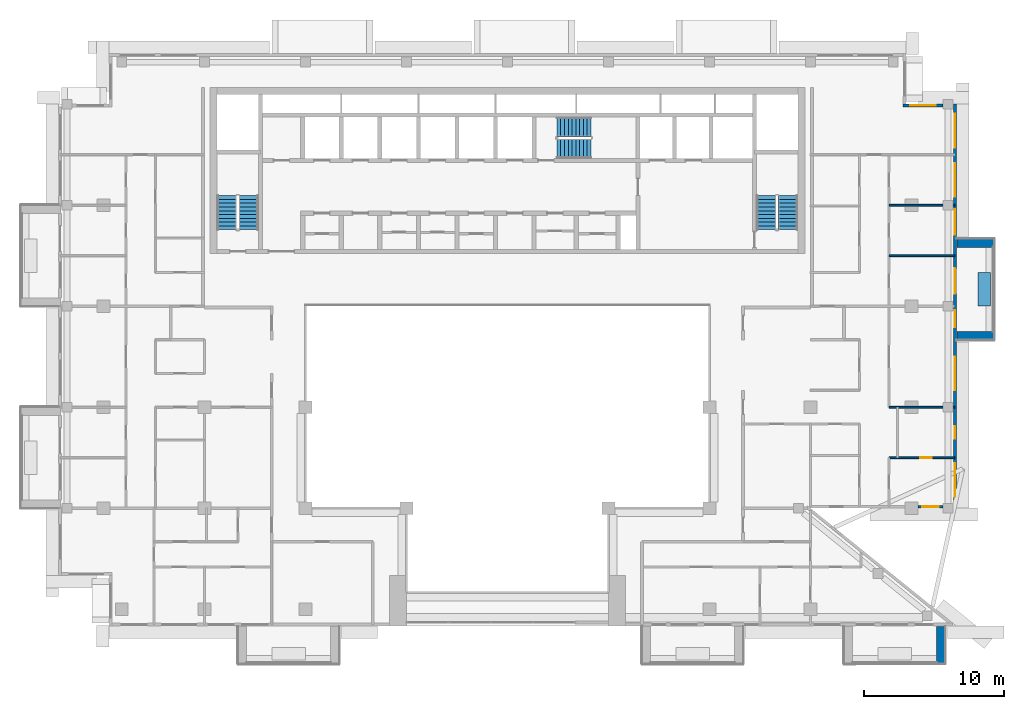
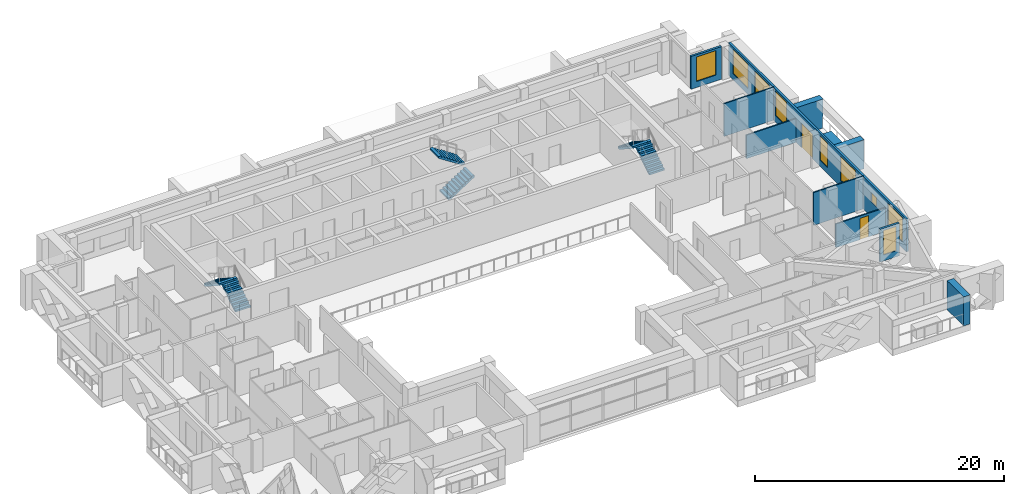
# One storey, part 12 of 19: 11 walls, 9 windows, 6 stair flights, 2 doors, 11 openings, 3 elements without a shape of their own.
"""IFC4 building model written with IfcOpenShell, lengths in metres."""

import ifcopenshell
import ifcopenshell.guid

model = None  # the IFC model being written
_history = None  # IfcOwnerHistory: only IFC2X3 demands one
_inside = {}  # id of a spatial element -> (the spatial element, [elements in it])
_under = {}  # id of a project, library or spatial element -> (it, [spatial elements below it])
_declared = {}  # id of a project -> (the project, [libraries it declares])
_typed = {}  # id of a type object -> (the type object, [elements of that type])
_made_of = {}  # id of a material, layer set ... -> (it, [elements and type objects made of it])


def new_model(schema):
    """Start an empty IFC model of exactly this schema.

    Asked for "IFC4X3", IfcOpenShell would pick the latest addendum, in which some entities
    have other attributes; the version numbers below select the first issue.
    IFC2X3 requires an IfcOwnerHistory on every rooted entity: one is made here for all.
    """
    global model, _history
    if schema == "IFC4X3":
        model = ifcopenshell.file(schema_version=(4, 3, 0, 0))
    else:
        model = ifcopenshell.file(schema=schema)
    _inside.clear()
    _under.clear()
    _declared.clear()
    _typed.clear()
    _made_of.clear()
    _history = None
    if model.schema == "IFC2X3":
        org = make("IfcOrganization", Name="unknown")
        user = make(
            "IfcPersonAndOrganization",
            ThePerson=make("IfcPerson", FamilyName="unknown"),
            TheOrganization=org,
        )
        app = make(
            "IfcApplication",
            ApplicationDeveloper=org,
            Version="unknown",
            ApplicationFullName="unknown",
            ApplicationIdentifier="unknown",
        )
        _history = make(
            "IfcOwnerHistory",
            OwningUser=user,
            OwningApplication=app,
            ChangeAction="ADDED",
            CreationDate=0,
        )
    return model


def make(cls, **values):
    """One entity of the class cls with the attributes given. An attribute that is None is left unset."""
    return model.create_entity(
        cls, **{name: value for name, value in values.items() if value is not None}
    )


def rooted(cls, **values):
    """An entity with a GlobalId (a new one), such as an element, a storey or a relation."""
    return make(cls, GlobalId=ifcopenshell.guid.new(), OwnerHistory=_history, **values)


def si_unit(unit_type, name, prefix=None):
    """IfcSIUnit, for example si_unit("LENGTHUNIT", "METRE", prefix="MILLI")."""
    return make("IfcSIUnit", UnitType=unit_type, Prefix=prefix, Name=name)


def assignment(units):
    """IfcUnitAssignment: the units of a project."""
    return None if units is None else make("IfcUnitAssignment", Units=units)


def point(xyz):
    """IfcCartesianPoint."""
    return None if xyz is None else make("IfcCartesianPoint", Coordinates=xyz)


def direction(xyz):
    """IfcDirection."""
    return None if xyz is None else make("IfcDirection", DirectionRatios=xyz)


def frame(location, z_axis=None, x_axis=None):
    """IfcAxis2Placement3D, a coordinate frame: its origin and axes. An axis left out is left unset."""
    return make(
        "IfcAxis2Placement3D",
        Location=point(location),
        Axis=direction(z_axis),
        RefDirection=direction(x_axis),
    )


def frame_2d(location, x_axis=None):
    """IfcAxis2Placement2D, a coordinate frame in the plane: its origin and x axis."""
    return make(
        "IfcAxis2Placement2D", Location=point(location), RefDirection=direction(x_axis)
    )


def origin():
    """The frame at (0, 0, 0) with its axes left unset."""
    return frame((0.0, 0.0, 0.0))


def place(relative_to, where):
    """IfcLocalPlacement: puts the frame where relative to a parent placement (None: the world)."""
    return make(
        "IfcLocalPlacement", PlacementRelTo=relative_to, RelativePlacement=where
    )


def context(
    kind, dimensions, precision=None, world=None, true_north=None, identifier=None
):
    """IfcGeometricRepresentationContext, for example the 3D "Model" context."""
    return make(
        "IfcGeometricRepresentationContext",
        ContextIdentifier=identifier,
        ContextType=kind,
        CoordinateSpaceDimension=dimensions,
        Precision=precision,
        WorldCoordinateSystem=world,
        TrueNorth=true_north,
    )


def subcontext(parent, identifier, kind, view, scale=None):
    """IfcGeometricRepresentationSubContext, for example "Body" below "Model"."""
    return make(
        "IfcGeometricRepresentationSubContext",
        ContextIdentifier=identifier,
        ContextType=kind,
        ParentContext=parent,
        TargetScale=scale,
        TargetView=view,
    )


def project(units=None, contexts=None):
    """IfcProject with its units and contexts."""
    return rooted(
        "IfcProject",
        Name="project",
        RepresentationContexts=contexts,
        UnitsInContext=assignment(units),
    )


def spatial(cls, under=None, at=None, **own):
    """A site, building, storey or space (cls), placed at a placement, below another one or the project."""
    s = rooted(cls, ObjectPlacement=at, **own)
    if under is not None:
        _under.setdefault(under.id(), (under, []))[1].append(s)
    return s


def polyline(points):
    """IfcPolyline through the points."""
    return make("IfcPolyline", Points=[point(p) for p in points])


def profile(cls, at=None, kind="AREA", **sizes):
    """A parametric profile (cls). Its sizes go by their IFC names, for example OverallWidth=200.0."""
    return make(cls, ProfileType=kind, Position=at, **sizes)


def rectangle(**sizes):
    """IfcRectangleProfileDef."""
    return profile("IfcRectangleProfileDef", **sizes)


def outline(outer, holes=None, kind="AREA"):
    """IfcArbitraryClosedProfileDef: a profile drawn as a closed curve; with holes, ...WithVoids."""
    if holes is None:
        return make("IfcArbitraryClosedProfileDef", ProfileType=kind, OuterCurve=outer)
    return make(
        "IfcArbitraryProfileDefWithVoids",
        ProfileType=kind,
        OuterCurve=outer,
        InnerCurves=holes,
    )


def extrude(swept, where, along, depth):
    """IfcExtrudedAreaSolid: the profile swept, set in the frame where, extruded along a direction by depth."""
    return make(
        "IfcExtrudedAreaSolid",
        SweptArea=swept,
        Position=where,
        ExtrudedDirection=direction(along),
        Depth=depth,
    )


def shape(context_of_items, identifier, shape_type, items):
    """IfcShapeRepresentation: the items that make up one representation, for example the "Body"."""
    return make(
        "IfcShapeRepresentation",
        ContextOfItems=context_of_items,
        RepresentationIdentifier=identifier,
        RepresentationType=shape_type,
        Items=items,
    )


def material(Name=None, Category=None):
    """IfcMaterial."""
    return make("IfcMaterial", Name=Name, Category=Category)


def layer(
    of_material, thickness, ventilated=None, Name=None, Category=None, Priority=None
):
    """IfcMaterialLayer: one layer of a wall or slab, of a material (None: an air gap)."""
    return make(
        "IfcMaterialLayer",
        Material=of_material,
        LayerThickness=thickness,
        IsVentilated=ventilated,
        Name=Name,
        Category=Category,
        Priority=Priority,
    )


def layer_set(layers, Name=None):
    """IfcMaterialLayerSet."""
    return make("IfcMaterialLayerSet", MaterialLayers=layers, LayerSetName=Name)


def made_of(thing, what):
    """Note that an element or type object is made of a material, layer set ...; save() writes the relation."""
    if what is not None:
        _made_of.setdefault(what.id(), (what, []))[1].append(thing)
    return thing


def type_object(cls, material=None, **own):
    """A type object (cls), such as IfcWallType, which elements share."""
    return made_of(rooted(cls, **own), material)


def element(
    cls,
    number,
    at=None,
    inside=None,
    cuts=None,
    type_object=None,
    material=None,
    context=None,
    identifier="Body",
    shape_type=None,
    held_by="IfcProductDefinitionShape",
    body=None,
    shapes=None,
    **own,
):
    """One element of the class cls, such as IfcWall. Its Tag is "e" and its number.

    at: its placement. inside: the storey or other place that contains it. cuts: it is an
    opening in that element (IfcRelVoidsElement). A single representation is given by context,
    identifier, shape_type and body (its items); several are given by shapes. held_by: the class
    of the entity that holds the representations. save() writes the other relations.
    """
    e = rooted(cls, Tag="e%d" % number, ObjectPlacement=at, **own)
    if body is not None:
        shapes = [shape(context, identifier, shape_type, body)]
    if shapes is not None:
        e.Representation = make(held_by, Representations=shapes)
    if inside is not None:
        _inside.setdefault(inside.id(), (inside, []))[1].append(e)
    if cuts is not None:
        rooted(
            "IfcRelVoidsElement", RelatingBuildingElement=cuts, RelatedOpeningElement=e
        )
    if type_object is not None:
        _typed.setdefault(type_object.id(), (type_object, []))[1].append(e)
    return made_of(e, material)


def fill(opening, filler):
    """IfcRelFillsElement: the door or window that sits in an opening."""
    return rooted(
        "IfcRelFillsElement",
        RelatingOpeningElement=opening,
        RelatedBuildingElement=filler,
    )


def aggregate(whole, parts):
    """IfcRelAggregates: a whole, such as a stair, and the parts it consists of."""
    return rooted("IfcRelAggregates", RelatingObject=whole, RelatedObjects=parts)


def save(model, path):
    """Write the relations noted so far, then the file.

    IfcRelAggregates (storeys below a building ...), IfcRelContainedInSpatialStructure (elements
    in a storey), IfcRelDefinesByType, IfcRelAssociatesMaterial and IfcRelDeclares: one each for
    every whole, place, type object, material and project.
    """
    for whole, parts in _under.values():
        aggregate(whole, parts)
    for where, things in _inside.values():
        rooted(
            "IfcRelContainedInSpatialStructure",
            RelatedElements=things,
            RelatingStructure=where,
        )
    for kind, things in _typed.values():
        rooted("IfcRelDefinesByType", RelatedObjects=things, RelatingType=kind)
    for what, things in _made_of.values():
        rooted("IfcRelAssociatesMaterial", RelatedObjects=things, RelatingMaterial=what)
    for by, libraries in _declared.values():
        rooted("IfcRelDeclares", RelatingContext=by, RelatedDefinitions=libraries)
    model.write(path)


model = new_model("IFC4")

# Units and contexts
model_context = context("Model", 3, precision=1e-05, world=origin(), true_north=direction((0.0, 1.0)))
body_context = subcontext(model_context, "Body", "Model", "MODEL_VIEW")
ifc_project = project(units=[si_unit("LENGTHUNIT", "METRE"), si_unit("AREAUNIT", "SQUARE_METRE"), si_unit("VOLUMEUNIT", "CUBIC_METRE"), si_unit("PLANEANGLEUNIT", "RADIAN"), si_unit("MASSUNIT", "GRAM", prefix="KILO")], contexts=[model_context])

# Site, building, storey
site_placement = place(None, origin())
site = spatial("IfcSite", under=ifc_project, at=site_placement, CompositionType="ELEMENT")
building_placement = place(site_placement, origin())
building = spatial("IfcBuilding", under=site, at=building_placement, Name="Saffron Iwan Residences", CompositionType="ELEMENT")
storey_placement = place(building_placement, frame((0.0, 0.0, 225.5)))
storey = spatial("IfcBuildingStorey", under=building, at=storey_placement, Name="L60", CompositionType="ELEMENT", Elevation=225.5)

# Walls
ifc_material_1 = material(Name="Concrete C50/60 white painted", Category="concrete")
ifc_layer_1 = layer(ifc_material_1, 0.60009765625)
ifc_layer_set_1 = layer_set([ifc_layer_1], Name="Concrete C50/60 white painted")
wall_type_1 = type_object("IfcWallType", Name="BALCONY FIN 600", PredefinedType="SOLIDWALL", material=ifc_layer_set_1)
for number, where, z_axis, x_axis, name in (
    (1, (82.449951171875, 60.300048828125, 0.0), (0.0, 0.0, 1.0), (1.0, 0.0, 0.0), "Balcony fin L60 F2-0a"),
    (2, (82.449951171875, 66.89990234375, 0.0), (0.0, 0.0, 1.0), (1.0, 0.0, 0.0), "Balcony fin L60 F2-0b"),
    (3, (81.300048828125, 39.550048828125, 0.0), (0.0, 0.0, 1.0), (0.0, -1.0, 0.0), "Balcony fin L60 11-2b"),
):
    element("IfcWall", number, at=place(storey_placement, frame(where, z_axis=z_axis, x_axis=x_axis)), inside=storey, type_object=wall_type_1, Name=name, PredefinedType="SOLIDWALL", context=body_context, shape_type="SweptSolid", body=[
        extrude(rectangle(XDim=2.650146484375, YDim=0.60009765625, at=frame_2d((1.3251953125, 0.0))), origin(), (0.0, 0.0, 1.0), 2.85009765625),
    ])
ifc_material_2 = material(Name="Concrete C35/45 white painted", Category="concrete")
ifc_layer_2 = layer(ifc_material_2, 0.14990234375)
ifc_layer_set_2 = layer_set([ifc_layer_2], Name="Concrete C35/45 white painted")
wall_type_2 = type_object("IfcWallType", Name="BALCONY PLANTER", PredefinedType="SOLIDWALL", material=ifc_layer_set_2)
wall_1_placement = place(storey_placement, frame((84.375, 62.39990234375, 0.0), z_axis=(0.0, 0.0, 1.0), x_axis=(0.0, 1.0, 0.0)))
element("IfcWall", 4, at=wall_1_placement, inside=storey, type_object=wall_type_2, Name="PLANTER L60 F2-0", PredefinedType="SOLIDWALL", context=body_context, shape_type="SweptSolid", body=[
    extrude(rectangle(XDim=2.400146484375, YDim=0.89990234375, at=frame_2d((1.2001953125, 0.0))), origin(), (0.0, 0.0, 1.0), 0.89990234375),
])

# Wall, opening, window
ifc_material_3 = material(Name="Concrete C40/50", Category="concrete")
ifc_layer_3 = layer(ifc_material_3, 0.199951171875)
ifc_layer_set_3 = layer_set([ifc_layer_3], Name="Concrete C40/50")
wall_type_3 = type_object("IfcWallType", Name="EXTERNAL WALL 200", PredefinedType="SOLIDWALL", material=ifc_layer_set_3)
wall_2_placement = place(storey_placement, frame((79.64990234375, 48.10009765625, 0.0), z_axis=(0.0, 0.0, 1.0), x_axis=(1.0, 0.0, 0.0)))
wall_2 = element("IfcWall", 5, at=wall_2_placement, inside=storey, type_object=wall_type_3, Name="External wall L60 F1.1", PredefinedType="SOLIDWALL", context=body_context, shape_type="SweptSolid", body=[
    extrude(rectangle(XDim=1.800048828125, YDim=0.199951171875, at=frame_2d((0.89990234375, 0.0))), origin(), (0.0, 0.0, 1.0), 3.219970703125),
])
opening_1_placement = place(wall_2_placement, frame((0.300048828125, 0.0, 0.60009765625)))
opening_1 = element("IfcOpeningElement", 6, at=opening_1_placement, cuts=wall_2, Name="Opening W3", PredefinedType="OPENING", context=body_context, shape_type="SweptSolid", body=[
    extrude(rectangle(XDim=1.199951171875, YDim=2.39990234375, at=frame_2d((0.60009765625, 1.199951171875))), frame((0.0, 0.10986328125, 0.0), z_axis=(0.0, -1.0, 0.0), x_axis=(1.0, 0.0, 0.0)), (0.0, 0.0, 1.0), 0.219970703125),
])
ifc_material_4 = material(Name="Clear glass, laminated double glazed", Category="glass")
window_type_1 = type_object("IfcWindowType", Name="WINDOW 1200 x 2400", PartitioningType="SINGLE_PANEL", PredefinedType="WINDOW", material=ifc_material_4)
window_1_placement = place(opening_1_placement, origin())
window_1 = element("IfcWindow", 7, at=window_1_placement, inside=storey, type_object=window_type_1, Name="Window L60 F1.0", OverallHeight=2.39990234375, OverallWidth=1.199951171875, PartitioningType="SINGLE_PANEL", PredefinedType="WINDOW", context=body_context, shape_type="SweptSolid", body=[
    extrude(rectangle(XDim=1.199951171875, YDim=2.39990234375, at=frame_2d((0.60009765625, 1.199951171875))), frame((0.0, 0.030029296875, 0.0), z_axis=(0.0, -1.0, 0.0), x_axis=(1.0, 0.0, 0.0)), (0.0, 0.0, 1.0), 0.06005859375),
])
fill(opening_1, window_1)

# Wall, openings, door, windows
wall_3_placement = place(storey_placement, frame((82.300048828125, 48.199951171875, 0.0), z_axis=(0.0, 0.0, 1.0), x_axis=(0.0, 1.0, 0.0)))
wall_3 = element("IfcWall", 8, at=wall_3_placement, inside=storey, type_object=wall_type_3, Name="External wall L60 F2.0", PredefinedType="SOLIDWALL", context=body_context, shape_type="SweptSolid", body=[
    extrude(rectangle(XDim=28.60009765625, YDim=0.199951171875, at=frame_2d((14.300048828125, 0.0))), origin(), (0.0, 0.0, 1.0), 3.219970703125),
])
opening_2_placement = place(wall_3_placement, frame((15.10009765625, 0.0, 0.0)))
opening_2 = element("IfcOpeningElement", 9, at=opening_2_placement, cuts=wall_3, Name="Opening BD1", PredefinedType="OPENING", context=body_context, shape_type="SweptSolid", body=[
    extrude(rectangle(XDim=1.800048828125, YDim=2.39990234375, at=frame_2d((0.89990234375, 1.199951171875))), frame((0.0, 0.10986328125, 0.0), z_axis=(0.0, -1.0, 0.0), x_axis=(1.0, 0.0, 0.0)), (0.0, 0.0, 1.0), 0.219970703125),
])
opening_3_placement = place(wall_3_placement, frame((0.60009765625, 0.0, 0.60009765625)))
opening_3 = element("IfcOpeningElement", 10, at=opening_3_placement, cuts=wall_3, Name="Opening W1", PredefinedType="OPENING", context=body_context, shape_type="SweptSolid", body=[
    extrude(rectangle(XDim=2.39990234375, YDim=2.39990234375, at=frame_2d((1.199951171875, 1.199951171875))), frame((0.0, 0.10986328125, 0.0), z_axis=(0.0, -1.0, 0.0), x_axis=(1.0, 0.0, 0.0)), (0.0, 0.0, 1.0), 0.219970703125),
])
opening_4_placement = place(wall_3_placement, frame((4.75, 0.0, 1.5)))
opening_4 = element("IfcOpeningElement", 11, at=opening_4_placement, cuts=wall_3, Name="Opening W6", PredefinedType="OPENING", context=body_context, shape_type="SweptSolid", body=[
    extrude(rectangle(XDim=0.89990234375, YDim=0.89990234375, at=frame_2d((0.449951171875, 0.449951171875))), frame((0.0, 0.10986328125, 0.0), z_axis=(0.0, -1.0, 0.0), x_axis=(1.0, 0.0, 0.0)), (0.0, 0.0, 1.0), 0.219970703125),
])
opening_5_placement = place(wall_3_placement, frame((8.199951171875, 0.0, 0.60009765625)))
opening_5 = element("IfcOpeningElement", 12, at=opening_5_placement, cuts=wall_3, Name="Opening W1", PredefinedType="OPENING", context=body_context, shape_type="SweptSolid", body=[
    extrude(rectangle(XDim=2.39990234375, YDim=2.39990234375, at=frame_2d((1.199951171875, 1.199951171875))), frame((0.0, 0.10986328125, 0.0), z_axis=(0.0, -1.0, 0.0), x_axis=(1.0, 0.0, 0.0)), (0.0, 0.0, 1.0), 0.219970703125),
])
opening_6_placement = place(wall_3_placement, frame((12.699951171875, 0.0, 0.60009765625)))
opening_6 = element("IfcOpeningElement", 13, at=opening_6_placement, cuts=wall_3, Name="Opening W3", PredefinedType="OPENING", context=body_context, shape_type="SweptSolid", body=[
    extrude(rectangle(XDim=1.199951171875, YDim=2.39990234375, at=frame_2d((0.60009765625, 1.199951171875))), frame((0.0, 0.10986328125, 0.0), z_axis=(0.0, -1.0, 0.0), x_axis=(1.0, 0.0, 0.0)), (0.0, 0.0, 1.0), 0.219970703125),
])
opening_7_placement = place(wall_3_placement, frame((19.300048828125, 0.0, 0.60009765625)))
opening_7 = element("IfcOpeningElement", 14, at=opening_7_placement, cuts=wall_3, Name="Opening W8", PredefinedType="OPENING", context=body_context, shape_type="SweptSolid", body=[
    extrude(rectangle(XDim=1.800048828125, YDim=2.39990234375, at=frame_2d((0.89990234375, 1.199951171875))), frame((0.0, 0.10986328125, 0.0), z_axis=(0.0, -1.0, 0.0), x_axis=(1.0, 0.0, 0.0)), (0.0, 0.0, 1.0), 0.219970703125),
])
opening_8_placement = place(wall_3_placement, frame((22.0, 0.0, 0.60009765625)))
opening_8 = element("IfcOpeningElement", 15, at=opening_8_placement, cuts=wall_3, Name="Opening W1", PredefinedType="OPENING", context=body_context, shape_type="SweptSolid", body=[
    extrude(rectangle(XDim=2.39990234375, YDim=2.39990234375, at=frame_2d((1.199951171875, 1.199951171875))), frame((0.0, 0.10986328125, 0.0), z_axis=(0.0, -1.0, 0.0), x_axis=(1.0, 0.0, 0.0)), (0.0, 0.0, 1.0), 0.219970703125),
])
opening_9_placement = place(wall_3_placement, frame((25.5, 0.0, 0.60009765625)))
opening_9 = element("IfcOpeningElement", 16, at=opening_9_placement, cuts=wall_3, Name="Opening W1", PredefinedType="OPENING", context=body_context, shape_type="SweptSolid", body=[
    extrude(rectangle(XDim=2.39990234375, YDim=2.39990234375, at=frame_2d((1.199951171875, 1.199951171875))), frame((0.0, 0.10986328125, 0.0), z_axis=(0.0, -1.0, 0.0), x_axis=(1.0, 0.0, 0.0)), (0.0, 0.0, 1.0), 0.219970703125),
])
door_type_1 = type_object("IfcDoorType", Name="BALCONY DOOR 1800 x 2400", OperationType="DOUBLE_DOOR_SLIDING", PredefinedType="DOOR", material=ifc_material_4)
door_1_placement = place(opening_2_placement, origin())
door_1 = element("IfcDoor", 17, at=door_1_placement, inside=storey, type_object=door_type_1, Name="Balcony door L60 F2.0", OperationType="DOUBLE_DOOR_SLIDING", OverallHeight=2.39990234375, OverallWidth=1.800048828125, PredefinedType="DOOR", context=body_context, shape_type="SweptSolid", body=[
    extrude(rectangle(XDim=1.800048828125, YDim=2.39990234375, at=frame_2d((0.89990234375, 1.199951171875))), frame((0.0, 0.02490234375, 0.0), z_axis=(0.0, -1.0, 0.0), x_axis=(1.0, 0.0, 0.0)), (0.0, 0.0, 1.0), 0.050048828125),
])
fill(opening_2, door_1)
window_2_placement = place(opening_6_placement, origin())
window_2 = element("IfcWindow", 18, at=window_2_placement, inside=storey, type_object=window_type_1, Name="Window L60 F2.4", OverallHeight=2.39990234375, OverallWidth=1.199951171875, PartitioningType="SINGLE_PANEL", PredefinedType="WINDOW", context=body_context, shape_type="SweptSolid", body=[
    extrude(rectangle(XDim=1.199951171875, YDim=2.39990234375, at=frame_2d((0.60009765625, 1.199951171875))), frame((0.0, 0.030029296875, 0.0), z_axis=(0.0, -1.0, 0.0), x_axis=(1.0, 0.0, 0.0)), (0.0, 0.0, 1.0), 0.06005859375),
])
fill(opening_6, window_2)
window_type_2 = type_object("IfcWindowType", Name="WINDOW 1800 x 2400", PartitioningType="DOUBLE_PANEL_VERTICAL", PredefinedType="WINDOW", material=ifc_material_4)
window_3_placement = place(opening_7_placement, origin())
window_3 = element("IfcWindow", 19, at=window_3_placement, inside=storey, type_object=window_type_2, Name="Window L60 F2.5", OverallHeight=2.39990234375, OverallWidth=1.800048828125, PartitioningType="DOUBLE_PANEL_VERTICAL", PredefinedType="WINDOW", context=body_context, shape_type="SweptSolid", body=[
    extrude(rectangle(XDim=1.800048828125, YDim=2.39990234375, at=frame_2d((0.89990234375, 1.199951171875))), frame((0.0, 0.030029296875, 0.0), z_axis=(0.0, -1.0, 0.0), x_axis=(1.0, 0.0, 0.0)), (0.0, 0.0, 1.0), 0.06005859375),
])
fill(opening_7, window_3)
window_type_3 = type_object("IfcWindowType", Name="WINDOW 2400 x 2400", PartitioningType="DOUBLE_PANEL_VERTICAL", PredefinedType="WINDOW", material=ifc_material_4)
window_4_placement = place(opening_3_placement, origin())
window_4 = element("IfcWindow", 20, at=window_4_placement, inside=storey, type_object=window_type_3, Name="Window L60 F2.1", OverallHeight=2.39990234375, OverallWidth=2.39990234375, PartitioningType="DOUBLE_PANEL_VERTICAL", PredefinedType="WINDOW", context=body_context, shape_type="SweptSolid", body=[
    extrude(rectangle(XDim=2.39990234375, YDim=2.39990234375, at=frame_2d((1.199951171875, 1.199951171875))), frame((0.0, 0.030029296875, 0.0), z_axis=(0.0, -1.0, 0.0), x_axis=(1.0, 0.0, 0.0)), (0.0, 0.0, 1.0), 0.06005859375),
])
fill(opening_3, window_4)
window_5_placement = place(opening_5_placement, origin())
window_5 = element("IfcWindow", 21, at=window_5_placement, inside=storey, type_object=window_type_3, Name="Window L60 F2.3", OverallHeight=2.39990234375, OverallWidth=2.39990234375, PartitioningType="DOUBLE_PANEL_VERTICAL", PredefinedType="WINDOW", context=body_context, shape_type="SweptSolid", body=[
    extrude(rectangle(XDim=2.39990234375, YDim=2.39990234375, at=frame_2d((1.199951171875, 1.199951171875))), frame((0.0, 0.030029296875, 0.0), z_axis=(0.0, -1.0, 0.0), x_axis=(1.0, 0.0, 0.0)), (0.0, 0.0, 1.0), 0.06005859375),
])
fill(opening_5, window_5)
window_6_placement = place(opening_8_placement, origin())
window_6 = element("IfcWindow", 22, at=window_6_placement, inside=storey, type_object=window_type_3, Name="Window L60 F2.6", OverallHeight=2.39990234375, OverallWidth=2.39990234375, PartitioningType="DOUBLE_PANEL_VERTICAL", PredefinedType="WINDOW", context=body_context, shape_type="SweptSolid", body=[
    extrude(rectangle(XDim=2.39990234375, YDim=2.39990234375, at=frame_2d((1.199951171875, 1.199951171875))), frame((0.0, 0.030029296875, 0.0), z_axis=(0.0, -1.0, 0.0), x_axis=(1.0, 0.0, 0.0)), (0.0, 0.0, 1.0), 0.06005859375),
])
fill(opening_8, window_6)
window_7_placement = place(opening_9_placement, origin())
window_7 = element("IfcWindow", 23, at=window_7_placement, inside=storey, type_object=window_type_3, Name="Window L60 F2.7", OverallHeight=2.39990234375, OverallWidth=2.39990234375, PartitioningType="DOUBLE_PANEL_VERTICAL", PredefinedType="WINDOW", context=body_context, shape_type="SweptSolid", body=[
    extrude(rectangle(XDim=2.39990234375, YDim=2.39990234375, at=frame_2d((1.199951171875, 1.199951171875))), frame((0.0, 0.030029296875, 0.0), z_axis=(0.0, -1.0, 0.0), x_axis=(1.0, 0.0, 0.0)), (0.0, 0.0, 1.0), 0.06005859375),
])
fill(opening_9, window_7)
window_type_4 = type_object("IfcWindowType", Name="WINDOW 900 x 900 BATH", PartitioningType="SINGLE_PANEL", PredefinedType="WINDOW", material=ifc_material_4)
window_8_placement = place(opening_4_placement, origin())
window_8 = element("IfcWindow", 24, at=window_8_placement, inside=storey, type_object=window_type_4, Name="Window L60 F2.2", OverallHeight=0.89990234375, OverallWidth=0.89990234375, PartitioningType="SINGLE_PANEL", PredefinedType="WINDOW", context=body_context, shape_type="SweptSolid", body=[
    extrude(rectangle(XDim=0.89990234375, YDim=0.89990234375, at=frame_2d((0.449951171875, 0.449951171875))), frame((0.0, 0.030029296875, 0.0), z_axis=(0.0, -1.0, 0.0), x_axis=(1.0, 0.0, 0.0)), (0.0, 0.0, 1.0), 0.06005859375),
])
fill(opening_4, window_8)

# Wall, opening, window
wall_4_placement = place(storey_placement, frame((81.449951171875, 76.699951171875, 0.0), z_axis=(0.0, 0.0, 1.0), x_axis=(-1.0, 0.0, 0.0)))
wall_4 = element("IfcWall", 25, at=wall_4_placement, inside=storey, type_object=wall_type_3, Name="External wall L60 F3.0", PredefinedType="SOLIDWALL", context=body_context, shape_type="SweptSolid", body=[
    extrude(rectangle(XDim=2.849853515625, YDim=0.199951171875, at=frame_2d((1.4248046875, 0.0))), origin(), (0.0, 0.0, 1.0), 3.219970703125),
])
opening_10_placement = place(wall_4_placement, frame((0.52490234375, 0.0, 0.60009765625)))
opening_10 = element("IfcOpeningElement", 26, at=opening_10_placement, cuts=wall_4, Name="Opening W8", PredefinedType="OPENING", context=body_context, shape_type="SweptSolid", body=[
    extrude(rectangle(XDim=1.800048828125, YDim=2.39990234375, at=frame_2d((0.89990234375, 1.199951171875))), frame((0.0, 0.10986328125, 0.0), z_axis=(0.0, -1.0, 0.0), x_axis=(1.0, 0.0, 0.0)), (0.0, 0.0, 1.0), 0.219970703125),
])
window_9_placement = place(opening_10_placement, origin())
window_9 = element("IfcWindow", 27, at=window_9_placement, inside=storey, type_object=window_type_2, Name="Window L60 F3.0", OverallHeight=2.39990234375, OverallWidth=1.800048828125, PartitioningType="DOUBLE_PANEL_VERTICAL", PredefinedType="WINDOW", context=body_context, shape_type="SweptSolid", body=[
    extrude(rectangle(XDim=1.800048828125, YDim=2.39990234375, at=frame_2d((0.89990234375, 1.199951171875))), frame((0.0, 0.030029296875, 0.0), z_axis=(0.0, -1.0, 0.0), x_axis=(1.0, 0.0, 0.0)), (0.0, 0.0, 1.0), 0.06005859375),
])
fill(opening_10, window_9)

# Wall, opening, door
ifc_material_5 = material(Name="Gypsum board partition")
ifc_layer_4 = layer(ifc_material_5, 0.1201171875)
ifc_layer_set_4 = layer_set([ifc_layer_4], Name="Gypsum board partition")
wall_type_4 = type_object("IfcWallType", Name="Flat partition 120", PredefinedType="PARTITIONING", material=ifc_layer_set_4)
wall_5_placement = place(storey_placement, frame((77.60009765625, 51.60009765625, 0.0), z_axis=(0.0, 0.0, 1.0), x_axis=(1.0, 0.0, 0.0)))
wall_5 = element("IfcWall", 28, at=wall_5_placement, inside=storey, type_object=wall_type_4, Name="W-L60-PART-h51.6-77.6", PredefinedType="PARTITIONING", context=body_context, shape_type="SweptSolid", body=[
    extrude(rectangle(XDim=4.6748046875, YDim=0.1201171875, at=frame_2d((2.33740234375, 0.0))), origin(), (0.0, 0.0, 1.0), 2.320068359375),
])
opening_11_placement = place(wall_5_placement, frame((2.237548828125, 0.0, 0.0)))
opening_11 = element("IfcOpeningElement", 29, at=opening_11_placement, cuts=wall_5, Name="Opening FD3", PredefinedType="OPENING", context=body_context, shape_type="SweptSolid", body=[
    extrude(rectangle(XDim=0.800048828125, YDim=2.10009765625, at=frame_2d((0.39990234375, 1.050048828125))), frame((0.0, 0.070068359375, 0.0), z_axis=(0.0, -1.0, 0.0), x_axis=(1.0, 0.0, 0.0)), (0.0, 0.0, 1.0), 0.14013671875),
])
ifc_material_6 = material(Name="Timber door", Category="wood")
door_type_2 = type_object("IfcDoorType", Name="Bathroom door 800", OperationType="NOTDEFINED", PredefinedType="DOOR", material=ifc_material_6)
door_2_placement = place(opening_11_placement, origin())
door_2 = element("IfcDoor", 30, at=door_2_placement, inside=storey, type_object=door_type_2, Name="Door L60-018", OperationType="SINGLE_SWING_LEFT", OverallHeight=2.10009765625, OverallWidth=0.800048828125, PredefinedType="DOOR", context=body_context, shape_type="SweptSolid", body=[
    extrude(rectangle(XDim=0.800048828125, YDim=2.10009765625, at=frame_2d((0.39990234375, 1.050048828125))), frame((0.0, 0.02490234375, 0.0), z_axis=(0.0, -1.0, 0.0), x_axis=(1.0, 0.0, 0.0)), (0.0, 0.0, 1.0), 0.050048828125),
])
fill(opening_11, door_2)

# Walls
wall_6_placement = place(storey_placement, frame((77.60009765625, 55.199951171875, 0.0), z_axis=(0.0, 0.0, 1.0), x_axis=(1.0, 0.0, 0.0)))
element("IfcWall", 31, at=wall_6_placement, inside=storey, type_object=wall_type_4, Name="W-L60-PART-h55.2-77.6", PredefinedType="PARTITIONING", context=body_context, shape_type="SweptSolid", body=[
    extrude(rectangle(XDim=4.6748046875, YDim=0.1201171875, at=frame_2d((2.33740234375, 0.0))), origin(), (0.0, 0.0, 1.0), 3.219970703125),
])
wall_7_placement = place(storey_placement, frame((77.60009765625, 66.0, 0.0), z_axis=(0.0, 0.0, 1.0), x_axis=(1.0, 0.0, 0.0)))
element("IfcWall", 32, at=wall_7_placement, inside=storey, type_object=wall_type_4, Name="W-L60-PART-h66-77.6", PredefinedType="PARTITIONING", context=body_context, shape_type="SweptSolid", body=[
    extrude(rectangle(XDim=4.6748046875, YDim=0.1201171875, at=frame_2d((2.33740234375, 0.0))), origin(), (0.0, 0.0, 1.0), 2.320068359375),
])
wall_8_placement = place(storey_placement, frame((77.60009765625, 69.60009765625, 0.0), z_axis=(0.0, 0.0, 1.0), x_axis=(1.0, 0.0, 0.0)))
element("IfcWall", 33, at=wall_8_placement, inside=storey, type_object=wall_type_4, Name="W-L60-PART-h69.6-77.6", PredefinedType="PARTITIONING", context=body_context, shape_type="SweptSolid", body=[
    extrude(rectangle(XDim=4.6748046875, YDim=0.1201171875, at=frame_2d((2.33740234375, 0.0))), origin(), (0.0, 0.0, 1.0), 3.219970703125),
])

# Stair, stair flights
ifc_material_7 = material(Name="Concrete C50/60", Category="concrete")
stair_type = type_object("IfcStairType", Name="Stair ST-CORE", PredefinedType="HALF_TURN_STAIR", material=ifc_material_7)
stair_1_placement = place(storey_placement, origin())
stair_1 = element("IfcStair", 34, at=stair_1_placement, inside=storey, type_object=stair_type, Name="L60 Exit Stair ST-W", PredefinedType="HALF_TURN_STAIR")
ifc_layer_5 = layer(ifc_material_7, 0.14990234375)
ifc_layer_set_5 = layer_set([ifc_layer_5], Name="Concrete C50/60")
stair_flight_type = type_object("IfcStairFlightType", Name="Stair flight SFL-RC", PredefinedType="STRAIGHT", material=ifc_layer_set_5)
stair_flight_1_placement = place(storey_placement, frame((31.949951171875, 67.85009765625, 0.0), z_axis=(0.0, 0.0, 1.0), x_axis=(0.0, 1.0, 0.0)))
stair_flight_1 = element("IfcStairFlight", 35, at=stair_flight_1_placement, type_object=stair_flight_type, Name="ST-W flight 1", NumberOfRisers=10, NumberOfTreads=9, PredefinedType="STRAIGHT", RiserHeight=0.175, TreadLength=0.27, context=body_context, shape_type="SweptSolid", body=[
    extrude(outline(polyline([(0.0, 0.0), (0.0, 0.175048828125), (0.27001953125, 0.175048828125), (0.27001953125, 0.35009765625), (0.5400390625, 0.35009765625), (0.5400390625, 0.52490234375), (0.81005859375, 0.52490234375), (0.81005859375, 0.699951171875), (1.080078125, 0.699951171875), (1.080078125, 0.875), (1.35009765625, 0.875), (1.35009765625, 1.050048828125), (1.6201171875, 1.050048828125), (1.6201171875, 1.22509765625), (1.889892578125, 1.22509765625), (1.889892578125, 1.39990234375), (2.159912109375, 1.39990234375), (2.159912109375, 1.574951171875), (2.429931640625, 1.574951171875), (2.429931640625, 1.75), (2.429931640625, 1.396484375), (0.275634765625, 0.0), (0.0, 0.0)])), frame((0.0, 0.699951171875, 0.0), z_axis=(0.0, -1.0, 0.0), x_axis=(1.0, 0.0, 0.0)), (0.0, 0.0, 1.0), 1.39990234375),
])
stair_flight_2_placement = place(storey_placement, frame((30.39990234375, 70.280029296875, 1.75), z_axis=(0.0, 0.0, 1.0), x_axis=(0.0, -1.0, 0.0)))
stair_flight_2 = element("IfcStairFlight", 36, at=stair_flight_2_placement, type_object=stair_flight_type, Name="ST-W flight 2", NumberOfRisers=10, NumberOfTreads=9, PredefinedType="STRAIGHT", RiserHeight=0.175, TreadLength=0.27, context=body_context, shape_type="SweptSolid", body=[
    extrude(outline(polyline([(0.0, 0.0), (0.0, 0.175048828125), (0.27001953125, 0.175048828125), (0.27001953125, 0.35009765625), (0.5400390625, 0.35009765625), (0.5400390625, 0.52490234375), (0.81005859375, 0.52490234375), (0.81005859375, 0.699951171875), (1.080078125, 0.699951171875), (1.080078125, 0.875), (1.35009765625, 0.875), (1.35009765625, 1.050048828125), (1.6201171875, 1.050048828125), (1.6201171875, 1.22509765625), (1.889892578125, 1.22509765625), (1.889892578125, 1.39990234375), (2.159912109375, 1.39990234375), (2.159912109375, 1.574951171875), (2.429931640625, 1.574951171875), (2.429931640625, 1.75), (2.429931640625, 1.396484375), (0.275634765625, 0.0), (0.0, 0.0)])), frame((0.0, 0.699951171875, 0.0), z_axis=(0.0, -1.0, 0.0), x_axis=(1.0, 0.0, 0.0)), (0.0, 0.0, 1.0), 1.39990234375),
])
aggregate(stair_1, [stair_flight_1, stair_flight_2])

stair_2_placement = place(storey_placement, origin())
stair_2 = element("IfcStair", 37, at=stair_2_placement, inside=storey, type_object=stair_type, Name="L60 Exit Stair ST-C", PredefinedType="HALF_TURN_STAIR")
stair_flight_3_placement = place(storey_placement, frame((53.925048828125, 73.625, 0.0), z_axis=(0.0, 0.0, 1.0), x_axis=(1.0, 0.0, 0.0)))
stair_flight_3 = element("IfcStairFlight", 38, at=stair_flight_3_placement, type_object=stair_flight_type, Name="ST-C flight 1", NumberOfRisers=10, NumberOfTreads=9, PredefinedType="STRAIGHT", RiserHeight=0.175, TreadLength=0.27, context=body_context, shape_type="SweptSolid", body=[
    extrude(outline(polyline([(0.0, 0.0), (0.0, 0.175048828125), (0.27001953125, 0.175048828125), (0.27001953125, 0.35009765625), (0.5400390625, 0.35009765625), (0.5400390625, 0.52490234375), (0.81005859375, 0.52490234375), (0.81005859375, 0.699951171875), (1.080078125, 0.699951171875), (1.080078125, 0.875), (1.35009765625, 0.875), (1.35009765625, 1.050048828125), (1.6201171875, 1.050048828125), (1.6201171875, 1.22509765625), (1.889892578125, 1.22509765625), (1.889892578125, 1.39990234375), (2.159912109375, 1.39990234375), (2.159912109375, 1.574951171875), (2.429931640625, 1.574951171875), (2.429931640625, 1.75), (2.429931640625, 1.396484375), (0.275634765625, 0.0), (0.0, 0.0)])), frame((0.0, 0.699951171875, 0.0), z_axis=(0.0, -1.0, 0.0), x_axis=(1.0, 0.0, 0.0)), (0.0, 0.0, 1.0), 1.39990234375),
])
stair_flight_4_placement = place(storey_placement, frame((56.35498046875, 75.175048828125, 1.75), z_axis=(0.0, 0.0, 1.0), x_axis=(-1.0, 0.0, 0.0)))
stair_flight_4 = element("IfcStairFlight", 39, at=stair_flight_4_placement, type_object=stair_flight_type, Name="ST-C flight 2", NumberOfRisers=10, NumberOfTreads=9, PredefinedType="STRAIGHT", RiserHeight=0.175, TreadLength=0.27, context=body_context, shape_type="SweptSolid", body=[
    extrude(outline(polyline([(0.0, 0.0), (0.0, 0.175048828125), (0.27001953125, 0.175048828125), (0.27001953125, 0.35009765625), (0.5400390625, 0.35009765625), (0.5400390625, 0.52490234375), (0.81005859375, 0.52490234375), (0.81005859375, 0.699951171875), (1.080078125, 0.699951171875), (1.080078125, 0.875), (1.35009765625, 0.875), (1.35009765625, 1.050048828125), (1.6201171875, 1.050048828125), (1.6201171875, 1.22509765625), (1.889892578125, 1.22509765625), (1.889892578125, 1.39990234375), (2.159912109375, 1.39990234375), (2.159912109375, 1.574951171875), (2.429931640625, 1.574951171875), (2.429931640625, 1.75), (2.429931640625, 1.396484375), (0.275634765625, 0.0), (0.0, 0.0)])), frame((0.0, 0.699951171875, 0.0), z_axis=(0.0, -1.0, 0.0), x_axis=(1.0, 0.0, 0.0)), (0.0, 0.0, 1.0), 1.39990234375),
])
aggregate(stair_2, [stair_flight_3, stair_flight_4])

stair_3_placement = place(storey_placement, origin())
stair_3 = element("IfcStair", 40, at=stair_3_placement, inside=storey, type_object=stair_type, Name="L60 Exit Stair ST-E", PredefinedType="HALF_TURN_STAIR")
stair_flight_5_placement = place(storey_placement, frame((70.39990234375, 67.85009765625, 0.0), z_axis=(0.0, 0.0, 1.0), x_axis=(0.0, 1.0, 0.0)))
stair_flight_5 = element("IfcStairFlight", 41, at=stair_flight_5_placement, type_object=stair_flight_type, Name="ST-E flight 1", NumberOfRisers=10, NumberOfTreads=9, PredefinedType="STRAIGHT", RiserHeight=0.175, TreadLength=0.27, context=body_context, shape_type="SweptSolid", body=[
    extrude(outline(polyline([(0.0, 0.0), (0.0, 0.175048828125), (0.27001953125, 0.175048828125), (0.27001953125, 0.35009765625), (0.5400390625, 0.35009765625), (0.5400390625, 0.52490234375), (0.81005859375, 0.52490234375), (0.81005859375, 0.699951171875), (1.080078125, 0.699951171875), (1.080078125, 0.875), (1.35009765625, 0.875), (1.35009765625, 1.050048828125), (1.6201171875, 1.050048828125), (1.6201171875, 1.22509765625), (1.889892578125, 1.22509765625), (1.889892578125, 1.39990234375), (2.159912109375, 1.39990234375), (2.159912109375, 1.574951171875), (2.429931640625, 1.574951171875), (2.429931640625, 1.75), (2.429931640625, 1.396484375), (0.275634765625, 0.0), (0.0, 0.0)])), frame((0.0, 0.699951171875, 0.0), z_axis=(0.0, -1.0, 0.0), x_axis=(1.0, 0.0, 0.0)), (0.0, 0.0, 1.0), 1.39990234375),
])
stair_flight_6_placement = place(storey_placement, frame((68.85009765625, 70.280029296875, 1.75), z_axis=(0.0, 0.0, 1.0), x_axis=(0.0, -1.0, 0.0)))
stair_flight_6 = element("IfcStairFlight", 42, at=stair_flight_6_placement, type_object=stair_flight_type, Name="ST-E flight 2", NumberOfRisers=10, NumberOfTreads=9, PredefinedType="STRAIGHT", RiserHeight=0.175, TreadLength=0.27, context=body_context, shape_type="SweptSolid", body=[
    extrude(outline(polyline([(0.0, 0.0), (0.0, 0.175048828125), (0.27001953125, 0.175048828125), (0.27001953125, 0.35009765625), (0.5400390625, 0.35009765625), (0.5400390625, 0.52490234375), (0.81005859375, 0.52490234375), (0.81005859375, 0.699951171875), (1.080078125, 0.699951171875), (1.080078125, 0.875), (1.35009765625, 0.875), (1.35009765625, 1.050048828125), (1.6201171875, 1.050048828125), (1.6201171875, 1.22509765625), (1.889892578125, 1.22509765625), (1.889892578125, 1.39990234375), (2.159912109375, 1.39990234375), (2.159912109375, 1.574951171875), (2.429931640625, 1.574951171875), (2.429931640625, 1.75), (2.429931640625, 1.396484375), (0.275634765625, 0.0), (0.0, 0.0)])), frame((0.0, 0.699951171875, 0.0), z_axis=(0.0, -1.0, 0.0), x_axis=(1.0, 0.0, 0.0)), (0.0, 0.0, 1.0), 1.39990234375),
])
aggregate(stair_3, [stair_flight_5, stair_flight_6])

save(model, "model.ifc")
